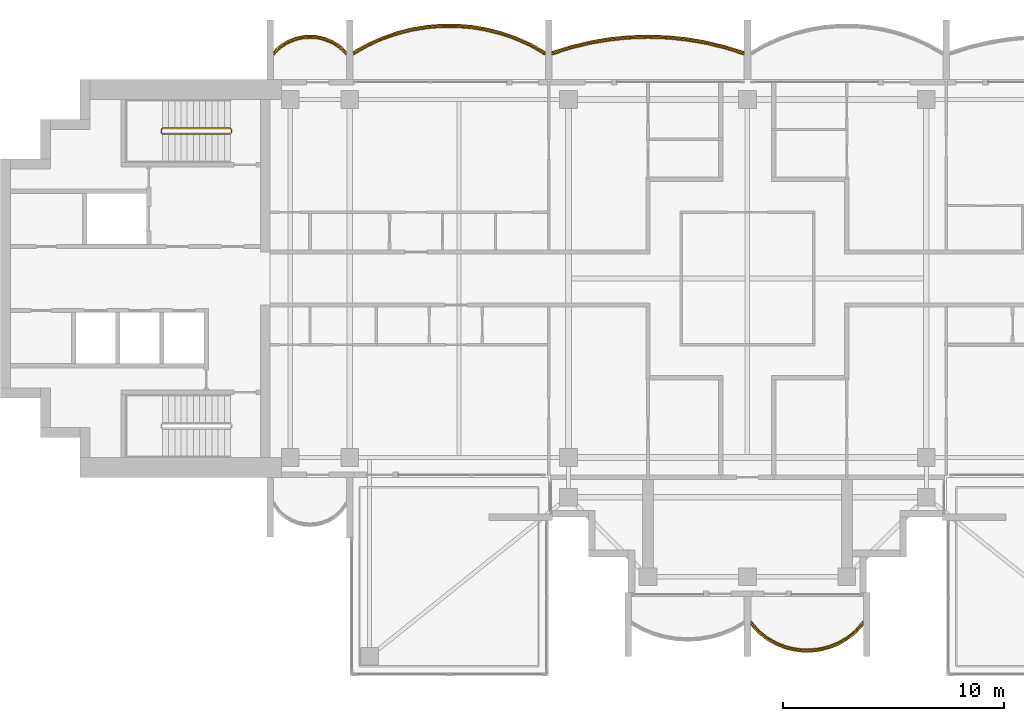
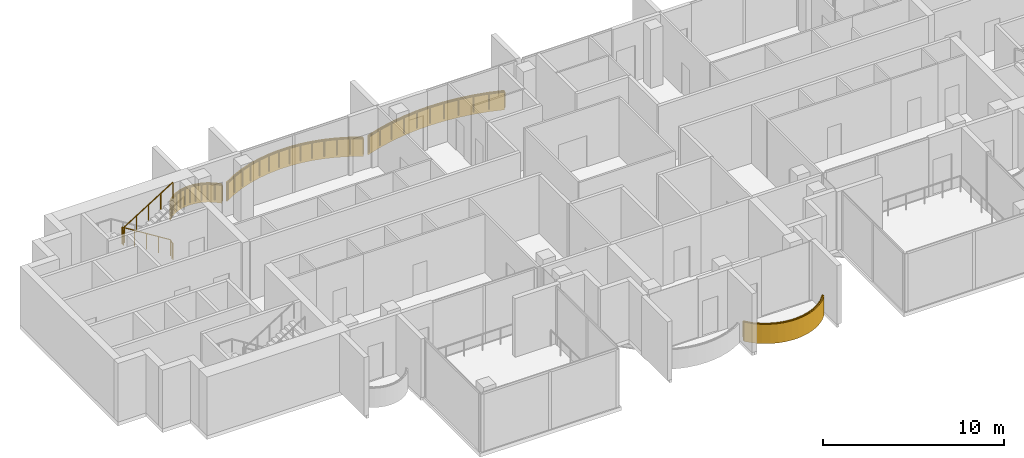
# One storey, part 14 of 16: 5 railings, 4 coverings.
"""IFC4 building model written with IfcOpenShell, lengths in metres."""

from ifc_helpers import new_model, si_unit, direction, frame, origin, origin_2d, place, context, subcontext, project, spatial, polyline, rectangle, outline, extrude, material, layer, layer_set, type_object, element, save


model = new_model("IFC4")

# Units and contexts
model_context = context("Model", 3, precision=1e-05, world=origin(), true_north=direction((0.0, 1.0)))
body_context = subcontext(model_context, "Body", "Model", "MODEL_VIEW")
ifc_project = project(units=[si_unit("LENGTHUNIT", "METRE"), si_unit("AREAUNIT", "SQUARE_METRE"), si_unit("VOLUMEUNIT", "CUBIC_METRE"), si_unit("PLANEANGLEUNIT", "RADIAN"), si_unit("MASSUNIT", "GRAM", prefix="KILO")], contexts=[model_context])

# Site, building, storey
site_placement = place(None, origin())
site = spatial("IfcSite", under=ifc_project, at=site_placement, CompositionType="ELEMENT")
building_placement = place(site_placement, origin())
building = spatial("IfcBuilding", under=site, at=building_placement, Name="Perihelion Cross Residences", CompositionType="ELEMENT")
storey_placement = place(building_placement, frame((0.0, 0.0, 294.60009765625)))
storey = spatial("IfcBuildingStorey", under=building, at=storey_placement, Name="L75", CompositionType="ELEMENT", Elevation=294.60009765625)

# Coverings
ifc_material_1 = material(Name="Bronze anodised aluminium", Category="aluminium")
ifc_layer = layer(ifc_material_1, 0.070068359375)
ifc_layer_set = layer_set([ifc_layer], Name="Balcony fascia 1300")
covering_type = type_object("IfcCoveringType", Name="Balcony fascia 1300", PredefinedType="CLADDING", material=ifc_layer_set)
covering_1_placement = place(storey_placement, frame((0.0, 0.0, -0.2001953125)))
element("IfcCovering", 1, at=covering_1_placement, inside=storey, type_object=covering_type, Name="Fascia BF1 L75 north side east bay 2", PredefinedType="CLADDING", context=body_context, shape_type="SweptSolid", body=[
    extrude(outline(polyline([(-1.001220703125, 10.542724609375), (-1.8759765625, 10.753662109375), (-2.750732421875, 10.90234375), (-3.625244140625, 10.99072265625), (-4.5, 11.02001953125), (-5.374755859375, 10.99072265625), (-6.249267578125, 10.90234375), (-7.1240234375, 10.753662109375), (-7.998779296875, 10.542724609375), (-8.85009765625, 10.2734375), (-8.85009765625, 10.199951171875), (-7.97998046875, 10.47509765625), (-7.110107421875, 10.68505859375), (-6.239990234375, 10.8330078125), (-5.3701171875, 10.9208984375), (-4.5, 10.949951171875), (-3.6298828125, 10.9208984375), (-2.760009765625, 10.8330078125), (-1.889892578125, 10.68505859375), (-1.02001953125, 10.47509765625), (-0.14990234375, 10.199951171875), (-0.14990234375, 10.2734375), (-1.001220703125, 10.542724609375)])), origin(), (0.0, 0.0, 1.0), 1.300048828125),
])
covering_2_placement = place(storey_placement, frame((0.0, 0.0, -0.2001953125)))
element("IfcCovering", 2, at=covering_2_placement, inside=storey, type_object=covering_type, Name="Fascia BF1 L75 west side north bay 1", PredefinedType="CLADDING", context=body_context, shape_type="SweptSolid", body=[
    extrude(outline(polyline([(-9.787841796875, 10.63916015625), (-10.462646484375, 10.941650390625), (-11.1376953125, 11.175048828125), (-11.8125, 11.345947265625), (-12.487548828125, 11.457763671875), (-13.16259765625, 11.51318359375), (-13.83740234375, 11.51318359375), (-14.512451171875, 11.457763671875), (-15.1875, 11.345947265625), (-15.8623046875, 11.175048828125), (-16.537353515625, 10.941650390625), (-17.212158203125, 10.63916015625), (-17.85009765625, 10.2802734375), (-17.85009765625, 10.199951171875), (-17.1806640625, 10.57666015625), (-16.511474609375, 10.87646484375), (-15.84228515625, 11.108154296875), (-15.173095703125, 11.27734375), (-14.50390625, 11.38818359375), (-13.834716796875, 11.443115234375), (-13.165283203125, 11.443115234375), (-12.49609375, 11.38818359375), (-11.826904296875, 11.27734375), (-11.15771484375, 11.108154296875), (-10.488525390625, 10.87646484375), (-9.8193359375, 10.57666015625), (-9.14990234375, 10.199951171875), (-9.14990234375, 10.2802734375), (-9.787841796875, 10.63916015625)])), origin(), (0.0, 0.0, 1.0), 1.300048828125),
])
covering_3_placement = place(storey_placement, frame((0.0, 0.0, -0.2001953125)))
element("IfcCovering", 3, at=covering_3_placement, inside=storey, type_object=covering_type, Name="Fascia BF1 L75 west side north bay 2", PredefinedType="CLADDING", context=body_context, shape_type="SweptSolid", body=[
    extrude(outline(polyline([(-18.4375, 10.56298828125), (-18.778076171875, 10.77587890625), (-19.11865234375, 10.914794921875), (-19.45947265625, 10.994140625), (-19.800048828125, 11.02001953125), (-20.140625, 10.994140625), (-20.481201171875, 10.914794921875), (-20.82177734375, 10.77587890625), (-21.16259765625, 10.56298828125), (-21.449951171875, 10.295654296875), (-21.449951171875, 10.199951171875), (-21.1201171875, 10.507568359375), (-20.7900390625, 10.71337890625), (-20.4599609375, 10.84814453125), (-20.1298828125, 10.925048828125), (-19.800048828125, 10.949951171875), (-19.469970703125, 10.925048828125), (-19.139892578125, 10.84814453125), (-18.81005859375, 10.71337890625), (-18.47998046875, 10.507568359375), (-18.14990234375, 10.199951171875), (-18.14990234375, 10.295654296875), (-18.4375, 10.56298828125)])), origin(), (0.0, 0.0, 1.0), 1.300048828125),
])
covering_4_placement = place(storey_placement, frame((0.0, 0.0, -0.2001953125)))
element("IfcCovering", 4, at=covering_4_placement, inside=storey, type_object=covering_type, Name="Fascia BF1 L75 south tip south bay 2", PredefinedType="CLADDING", context=body_context, shape_type="SweptSolid", body=[
    extrude(outline(polyline([(0.4951171875, -16.073974609375), (0.89599609375, -16.382568359375), (1.296875, -16.6064453125), (1.69775390625, -16.763916015625), (2.0986328125, -16.86474609375), (2.49951171875, -16.913818359375), (2.900390625, -16.913818359375), (3.30126953125, -16.86474609375), (3.7021484375, -16.763916015625), (4.10302734375, -16.6064453125), (4.50390625, -16.382568359375), (4.90478515625, -16.073974609375), (5.25, -15.702880859375), (5.25, -15.60009765625), (4.857666015625, -16.022216796875), (4.46533203125, -16.323974609375), (4.072998046875, -16.543212890625), (3.6806640625, -16.697265625), (3.28857421875, -16.7958984375), (2.896240234375, -16.843994140625), (2.50390625, -16.843994140625), (2.111572265625, -16.7958984375), (1.71923828125, -16.697265625), (1.326904296875, -16.543212890625), (0.9345703125, -16.323974609375), (0.542236328125, -16.022216796875), (0.14990234375, -15.60009765625), (0.14990234375, -15.702880859375), (0.4951171875, -16.073974609375)])), origin(), (0.0, 0.0, 1.0), 1.300048828125),
])

# Railings
ifc_material_2 = material(Name="Bronze anodised aluminium", Category="aluminium")
railing_type_1 = type_object("IfcRailingType", Name="Balcony guard 1100", PredefinedType="GUARDRAIL", material=ifc_material_2)
railing_1_placement = place(storey_placement, frame((-0.175048828125, 10.139892578125, 0.0)))
element("IfcRailing", 5, at=railing_1_placement, inside=storey, type_object=railing_type_1, Name="Guard GU1 L75 north side east bay 2 balcony", PredefinedType="GUARDRAIL", context=body_context, shape_type="SweptSolid", body=[
    extrude(rectangle(XDim=0.048095703125, YDim=0.048095703125, at=origin_2d()), frame((0.0, 0.0, 1.076171875), z_axis=(-0.950777354264, 0.30987484993, 0.0), x_axis=(-0.30987484993, -0.950777354264, 0.0)), (0.0, 0.0, 1.0), 0.888671875),
    extrude(rectangle(XDim=0.048095703125, YDim=0.048095703125, at=origin_2d()), frame((-0.844970703125, 0.275390625, 1.076171875), z_axis=(-0.972146551129, 0.234373810671, 0.0), x_axis=(-0.234373810671, -0.972146551129, 0.0)), (0.0, 0.0, 1.0), 0.894775390625),
    extrude(rectangle(XDim=0.048095703125, YDim=0.048095703125, at=origin_2d()), frame((-1.71484375, 0.485107421875, 1.076171875), z_axis=(-0.985850361727, 0.167627755108, 0.0), x_axis=(-0.167627755108, -0.985850361727, 0.0)), (0.0, 0.0, 1.0), 0.882568359375),
    extrude(rectangle(XDim=0.048095703125, YDim=0.048095703125, at=origin_2d()), frame((-2.5849609375, 0.633056640625, 1.076171875), z_axis=(-0.994934368303, 0.100526627165, 0.0), x_axis=(-0.100526627165, -0.994934368303, 0.0)), (0.0, 0.0, 1.0), 0.874267578125),
    extrude(rectangle(XDim=0.048095703125, YDim=0.048095703125, at=origin_2d()), frame((-3.454833984375, 0.720947265625, 1.076171875), z_axis=(-0.999443037968, 0.0333708534, 0.0), x_axis=(-0.0333708534, -0.999443037968, 0.0)), (0.0, 0.0, 1.0), 0.87060546875),
    extrude(rectangle(XDim=0.048095703125, YDim=0.048095703125, at=origin_2d()), frame((-4.324951171875, 0.75, 1.076171875), z_axis=(-0.999443037968, -0.0333708534, 0.0), x_axis=(0.0333708534, -0.999443037968, 0.0)), (0.0, 0.0, 1.0), 0.87060546875),
    extrude(rectangle(XDim=0.048095703125, YDim=0.048095703125, at=origin_2d()), frame((-5.195068359375, 0.720947265625, 1.076171875), z_axis=(-0.994934368303, -0.100526627165, 0.0), x_axis=(0.100526627165, -0.994934368303, 0.0)), (0.0, 0.0, 1.0), 0.874267578125),
    extrude(rectangle(XDim=0.048095703125, YDim=0.048095703125, at=origin_2d()), frame((-6.06494140625, 0.633056640625, 1.076171875), z_axis=(-0.985850361727, -0.167627755108, 0.0), x_axis=(0.167627755108, -0.985850361727, 0.0)), (0.0, 0.0, 1.0), 0.882568359375),
    extrude(rectangle(XDim=0.048095703125, YDim=0.048095703125, at=origin_2d()), frame((-6.93505859375, 0.485107421875, 1.076171875), z_axis=(-0.972146551129, -0.234373810671, 0.0), x_axis=(0.234373810671, -0.972146551129, 0.0)), (0.0, 0.0, 1.0), 0.894775390625),
    extrude(rectangle(XDim=0.048095703125, YDim=0.048095703125, at=origin_2d()), frame((-7.804931640625, 0.275390625, 1.076171875), z_axis=(-0.950777354264, -0.30987484993, 0.0), x_axis=(0.30987484993, -0.950777354264, 0.0)), (0.0, 0.0, 1.0), 0.888671875),
    extrude(rectangle(XDim=0.0419921875, YDim=0.0419921875, at=origin_2d()), origin(), (0.0, 0.0, 1.0), 1.052001953125),
    extrude(rectangle(XDim=0.0419921875, YDim=0.0419921875, at=origin_2d()), frame((-0.844970703125, 0.275390625, 0.0)), (0.0, 0.0, 1.0), 1.052001953125),
    extrude(rectangle(XDim=0.0419921875, YDim=0.0419921875, at=origin_2d()), frame((-1.71484375, 0.485107421875, 0.0)), (0.0, 0.0, 1.0), 1.052001953125),
    extrude(rectangle(XDim=0.0419921875, YDim=0.0419921875, at=origin_2d()), frame((-2.5849609375, 0.633056640625, 0.0)), (0.0, 0.0, 1.0), 1.052001953125),
    extrude(rectangle(XDim=0.0419921875, YDim=0.0419921875, at=origin_2d()), frame((-3.454833984375, 0.720947265625, 0.0)), (0.0, 0.0, 1.0), 1.052001953125),
    extrude(rectangle(XDim=0.0419921875, YDim=0.0419921875, at=origin_2d()), frame((-4.324951171875, 0.75, 0.0)), (0.0, 0.0, 1.0), 1.052001953125),
    extrude(rectangle(XDim=0.0419921875, YDim=0.0419921875, at=origin_2d()), frame((-5.195068359375, 0.720947265625, 0.0)), (0.0, 0.0, 1.0), 1.052001953125),
    extrude(rectangle(XDim=0.0419921875, YDim=0.0419921875, at=origin_2d()), frame((-6.06494140625, 0.633056640625, 0.0)), (0.0, 0.0, 1.0), 1.052001953125),
    extrude(rectangle(XDim=0.0419921875, YDim=0.0419921875, at=origin_2d()), frame((-6.93505859375, 0.485107421875, 0.0)), (0.0, 0.0, 1.0), 1.052001953125),
    extrude(rectangle(XDim=0.0419921875, YDim=0.0419921875, at=origin_2d()), frame((-7.804931640625, 0.275390625, 0.0)), (0.0, 0.0, 1.0), 1.052001953125),
    extrude(rectangle(XDim=0.0419921875, YDim=0.0419921875, at=origin_2d()), frame((-8.64990234375, 0.0, 0.0)), (0.0, 0.0, 1.0), 1.052001953125),
])
railing_2_placement = place(storey_placement, frame((-9.175048828125, 10.139892578125, 0.0)))
element("IfcRailing", 6, at=railing_2_placement, inside=storey, type_object=railing_type_1, Name="Guard GU1 L75 west side north bay 1 balcony", PredefinedType="GUARDRAIL", context=body_context, shape_type="SweptSolid", body=[
    extrude(rectangle(XDim=0.048095703125, YDim=0.048095703125, at=origin_2d()), frame((0.0, 0.0, 1.076171875), z_axis=(-0.863125740505, 0.504989065305, 0.0), x_axis=(-0.504989065305, -0.863125740505, 0.0)), (0.0, 0.0, 1.0), 0.746337890625),
    extrude(rectangle(XDim=0.048095703125, YDim=0.048095703125, at=origin_2d()), frame((-0.644287109375, 0.376953125, 1.076171875), z_axis=(-0.912723499295, 0.408577794103, 0.0), x_axis=(-0.408577794103, -0.912723499295, 0.0)), (0.0, 0.0, 1.0), 0.733154296875),
    extrude(rectangle(XDim=0.048095703125, YDim=0.048095703125, at=origin_2d()), frame((-1.3134765625, 0.676513671875, 1.076171875), z_axis=(-0.944965577734, 0.327169767701, 0.0), x_axis=(-0.327169767701, -0.944965577734, 0.0)), (0.0, 0.0, 1.0), 0.708251953125),
    extrude(rectangle(XDim=0.048095703125, YDim=0.048095703125, at=origin_2d()), frame((-1.982666015625, 0.908203125, 1.076171875), z_axis=(-0.96949408574, 0.245114703181, 0.0), x_axis=(-0.245114703181, -0.96949408574, 0.0)), (0.0, 0.0, 1.0), 0.690185546875),
    extrude(rectangle(XDim=0.048095703125, YDim=0.048095703125, at=origin_2d()), frame((-2.65185546875, 1.077392578125, 1.076171875), z_axis=(-0.986500713816, 0.163756959061, 0.0), x_axis=(-0.163756959061, -0.986500713816, 0.0)), (0.0, 0.0, 1.0), 0.678466796875),
    extrude(rectangle(XDim=0.048095703125, YDim=0.048095703125, at=origin_2d()), frame((-3.321044921875, 1.1884765625, 1.076171875), z_axis=(-0.996677390684, 0.081450468994, 0.0), x_axis=(-0.081450468994, -0.996677390684, 0.0)), (0.0, 0.0, 1.0), 0.67138671875),
    extrude(rectangle(XDim=0.048095703125, YDim=0.048095703125, at=origin_2d()), frame((-3.990234375, 1.2431640625, 1.076171875), z_axis=(-1.0, 0.0, 0.0), x_axis=(0.0, -1.0, 0.0)), (0.0, 0.0, 1.0), 0.66943359375),
    extrude(rectangle(XDim=0.048095703125, YDim=0.048095703125, at=origin_2d()), frame((-4.65966796875, 1.2431640625, 1.076171875), z_axis=(-0.996677390684, -0.081450468994, 0.0), x_axis=(0.081450468994, -0.996677390684, 0.0)), (0.0, 0.0, 1.0), 0.67138671875),
    extrude(rectangle(XDim=0.048095703125, YDim=0.048095703125, at=origin_2d()), frame((-5.328857421875, 1.1884765625, 1.076171875), z_axis=(-0.986500713816, -0.163756959061, 0.0), x_axis=(0.163756959061, -0.986500713816, 0.0)), (0.0, 0.0, 1.0), 0.678466796875),
    extrude(rectangle(XDim=0.048095703125, YDim=0.048095703125, at=origin_2d()), frame((-5.998046875, 1.077392578125, 1.076171875), z_axis=(-0.96949408574, -0.245114703181, 0.0), x_axis=(0.245114703181, -0.96949408574, 0.0)), (0.0, 0.0, 1.0), 0.690185546875),
    extrude(rectangle(XDim=0.048095703125, YDim=0.048095703125, at=origin_2d()), frame((-6.667236328125, 0.908203125, 1.076171875), z_axis=(-0.944965577734, -0.327169767701, 0.0), x_axis=(0.327169767701, -0.944965577734, 0.0)), (0.0, 0.0, 1.0), 0.708251953125),
    extrude(rectangle(XDim=0.048095703125, YDim=0.048095703125, at=origin_2d()), frame((-7.33642578125, 0.676513671875, 1.076171875), z_axis=(-0.912723499295, -0.408577794103, 0.0), x_axis=(0.408577794103, -0.912723499295, 0.0)), (0.0, 0.0, 1.0), 0.733154296875),
    extrude(rectangle(XDim=0.048095703125, YDim=0.048095703125, at=origin_2d()), frame((-8.005615234375, 0.376953125, 1.076171875), z_axis=(-0.863125740505, -0.504989065305, 0.0), x_axis=(0.504989065305, -0.863125740505, 0.0)), (0.0, 0.0, 1.0), 0.746337890625),
    extrude(rectangle(XDim=0.0419921875, YDim=0.0419921875, at=origin_2d()), origin(), (0.0, 0.0, 1.0), 1.052001953125),
    extrude(rectangle(XDim=0.0419921875, YDim=0.0419921875, at=origin_2d()), frame((-0.644287109375, 0.376953125, 0.0)), (0.0, 0.0, 1.0), 1.052001953125),
    extrude(rectangle(XDim=0.0419921875, YDim=0.0419921875, at=origin_2d()), frame((-1.3134765625, 0.676513671875, 0.0)), (0.0, 0.0, 1.0), 1.052001953125),
    extrude(rectangle(XDim=0.0419921875, YDim=0.0419921875, at=origin_2d()), frame((-1.982666015625, 0.908203125, 0.0)), (0.0, 0.0, 1.0), 1.052001953125),
    extrude(rectangle(XDim=0.0419921875, YDim=0.0419921875, at=origin_2d()), frame((-2.65185546875, 1.077392578125, 0.0)), (0.0, 0.0, 1.0), 1.052001953125),
    extrude(rectangle(XDim=0.0419921875, YDim=0.0419921875, at=origin_2d()), frame((-3.321044921875, 1.1884765625, 0.0)), (0.0, 0.0, 1.0), 1.052001953125),
    extrude(rectangle(XDim=0.0419921875, YDim=0.0419921875, at=origin_2d()), frame((-3.990234375, 1.2431640625, 0.0)), (0.0, 0.0, 1.0), 1.052001953125),
    extrude(rectangle(XDim=0.0419921875, YDim=0.0419921875, at=origin_2d()), frame((-4.65966796875, 1.2431640625, 0.0)), (0.0, 0.0, 1.0), 1.052001953125),
    extrude(rectangle(XDim=0.0419921875, YDim=0.0419921875, at=origin_2d()), frame((-5.328857421875, 1.1884765625, 0.0)), (0.0, 0.0, 1.0), 1.052001953125),
    extrude(rectangle(XDim=0.0419921875, YDim=0.0419921875, at=origin_2d()), frame((-5.998046875, 1.077392578125, 0.0)), (0.0, 0.0, 1.0), 1.052001953125),
    extrude(rectangle(XDim=0.0419921875, YDim=0.0419921875, at=origin_2d()), frame((-6.667236328125, 0.908203125, 0.0)), (0.0, 0.0, 1.0), 1.052001953125),
    extrude(rectangle(XDim=0.0419921875, YDim=0.0419921875, at=origin_2d()), frame((-7.33642578125, 0.676513671875, 0.0)), (0.0, 0.0, 1.0), 1.052001953125),
    extrude(rectangle(XDim=0.0419921875, YDim=0.0419921875, at=origin_2d()), frame((-8.005615234375, 0.376953125, 0.0)), (0.0, 0.0, 1.0), 1.052001953125),
    extrude(rectangle(XDim=0.0419921875, YDim=0.0419921875, at=origin_2d()), frame((-8.64990234375, 0.0, 0.0)), (0.0, 0.0, 1.0), 1.052001953125),
])
railing_3_placement = place(storey_placement, frame((-18.175048828125, 10.139892578125, 0.0)))
element("IfcRailing", 7, at=railing_3_placement, inside=storey, type_object=railing_type_1, Name="Guard GU1 L75 west side north bay 2 balcony", PredefinedType="GUARDRAIL", context=body_context, shape_type="SweptSolid", body=[
    extrude(rectangle(XDim=0.048095703125, YDim=0.048095703125, at=origin_2d()), frame((0.0, 0.0, 1.076171875), z_axis=(-0.703999905859, 0.710200065158, 0.0), x_axis=(-0.710200065158, -0.703999905859, 0.0)), (0.0, 0.0, 1.0), 0.43310546875),
    extrude(rectangle(XDim=0.048095703125, YDim=0.048095703125, at=origin_2d()), frame((-0.304931640625, 0.3076171875, 1.076171875), z_axis=(-0.848280173265, 0.529547682127, 0.0), x_axis=(-0.529547682127, -0.848280173265, 0.0)), (0.0, 0.0, 1.0), 0.38916015625),
    extrude(rectangle(XDim=0.048095703125, YDim=0.048095703125, at=origin_2d()), frame((-0.635009765625, 0.513671875, 1.076171875), z_axis=(-0.925950379976, 0.377645195682, 0.0), x_axis=(-0.377645195682, -0.925950379976, 0.0)), (0.0, 0.0, 1.0), 0.356201171875),
    extrude(rectangle(XDim=0.048095703125, YDim=0.048095703125, at=origin_2d()), frame((-0.96484375, 0.648193359375, 1.076171875), z_axis=(-0.97391554583, 0.226910796551, 0.0), x_axis=(-0.226910796551, -0.97391554583, 0.0)), (0.0, 0.0, 1.0), 0.3388671875),
    extrude(rectangle(XDim=0.048095703125, YDim=0.048095703125, at=origin_2d()), frame((-1.294921875, 0.72509765625, 1.076171875), z_axis=(-0.997166208737, 0.075229995038, 0.0), x_axis=(-0.075229995038, -0.997166208737, 0.0)), (0.0, 0.0, 1.0), 0.3310546875),
    extrude(rectangle(XDim=0.048095703125, YDim=0.048095703125, at=origin_2d()), frame((-1.625, 0.75, 1.076171875), z_axis=(-0.997162029931, -0.075285364214, 0.0), x_axis=(0.075285364214, -0.997162029931, 0.0)), (0.0, 0.0, 1.0), 0.330810546875),
    extrude(rectangle(XDim=0.048095703125, YDim=0.048095703125, at=origin_2d()), frame((-1.954833984375, 0.72509765625, 1.076171875), z_axis=(-0.97391554583, -0.226910796551, 0.0), x_axis=(0.226910796551, -0.97391554583, 0.0)), (0.0, 0.0, 1.0), 0.3388671875),
    extrude(rectangle(XDim=0.048095703125, YDim=0.048095703125, at=origin_2d()), frame((-2.284912109375, 0.648193359375, 1.076171875), z_axis=(-0.926048033295, -0.377405670374, 0.0), x_axis=(0.377405670374, -0.926048033295, 0.0)), (0.0, 0.0, 1.0), 0.3564453125),
    extrude(rectangle(XDim=0.048095703125, YDim=0.048095703125, at=origin_2d()), frame((-2.614990234375, 0.513671875, 1.076171875), z_axis=(-0.848280173265, -0.529547682127, 0.0), x_axis=(0.529547682127, -0.848280173265, 0.0)), (0.0, 0.0, 1.0), 0.38916015625),
    extrude(rectangle(XDim=0.048095703125, YDim=0.048095703125, at=origin_2d()), frame((-2.945068359375, 0.3076171875, 1.076171875), z_axis=(-0.703999905859, -0.710200065158, 0.0), x_axis=(0.710200065158, -0.703999905859, 0.0)), (0.0, 0.0, 1.0), 0.43310546875),
    extrude(rectangle(XDim=0.0419921875, YDim=0.0419921875, at=origin_2d()), origin(), (0.0, 0.0, 1.0), 1.052001953125),
    extrude(rectangle(XDim=0.0419921875, YDim=0.0419921875, at=origin_2d()), frame((-0.304931640625, 0.3076171875, 0.0)), (0.0, 0.0, 1.0), 1.052001953125),
    extrude(rectangle(XDim=0.0419921875, YDim=0.0419921875, at=origin_2d()), frame((-0.635009765625, 0.513671875, 0.0)), (0.0, 0.0, 1.0), 1.052001953125),
    extrude(rectangle(XDim=0.0419921875, YDim=0.0419921875, at=origin_2d()), frame((-0.96484375, 0.648193359375, 0.0)), (0.0, 0.0, 1.0), 1.052001953125),
    extrude(rectangle(XDim=0.0419921875, YDim=0.0419921875, at=origin_2d()), frame((-1.294921875, 0.72509765625, 0.0)), (0.0, 0.0, 1.0), 1.052001953125),
    extrude(rectangle(XDim=0.0419921875, YDim=0.0419921875, at=origin_2d()), frame((-1.625, 0.75, 0.0)), (0.0, 0.0, 1.0), 1.052001953125),
    extrude(rectangle(XDim=0.0419921875, YDim=0.0419921875, at=origin_2d()), frame((-1.954833984375, 0.72509765625, 0.0)), (0.0, 0.0, 1.0), 1.052001953125),
    extrude(rectangle(XDim=0.0419921875, YDim=0.0419921875, at=origin_2d()), frame((-2.284912109375, 0.648193359375, 0.0)), (0.0, 0.0, 1.0), 1.052001953125),
    extrude(rectangle(XDim=0.0419921875, YDim=0.0419921875, at=origin_2d()), frame((-2.614990234375, 0.513671875, 0.0)), (0.0, 0.0, 1.0), 1.052001953125),
    extrude(rectangle(XDim=0.0419921875, YDim=0.0419921875, at=origin_2d()), frame((-2.945068359375, 0.3076171875, 0.0)), (0.0, 0.0, 1.0), 1.052001953125),
    extrude(rectangle(XDim=0.0419921875, YDim=0.0419921875, at=origin_2d()), frame((-3.25, 0.0, 0.0)), (0.0, 0.0, 1.0), 1.052001953125),
])
railing_4_placement = place(storey_placement, frame((0.175048828125, -15.5400390625, 0.0)))
element("IfcRailing", 8, at=railing_4_placement, inside=storey, type_object=railing_type_1, Name="Guard GU1 L75 south tip south bay 2 balcony", PredefinedType="GUARDRAIL", context=body_context, shape_type="SweptSolid", body=[
    extrude(rectangle(XDim=0.048095703125, YDim=0.048095703125, at=origin_2d()), frame((0.0, 0.0, 1.076171875), z_axis=(0.656308349551, -0.754492776844, 0.0), x_axis=(0.754492776844, 0.656308349551, 0.0)), (0.0, 0.0, 1.0), 0.5595703125),
    extrude(rectangle(XDim=0.048095703125, YDim=0.048095703125, at=origin_2d()), frame((0.3671875, -0.422119140625, 1.076171875), z_axis=(0.792422303655, -0.609972862241, 0.0), x_axis=(0.609972862241, 0.792422303655, 0.0)), (0.0, 0.0, 1.0), 0.4951171875),
    extrude(rectangle(XDim=0.048095703125, YDim=0.048095703125, at=origin_2d()), frame((0.759521484375, -0.72412109375, 1.076171875), z_axis=(0.873181568748, -0.487395063576, 0.0), x_axis=(0.487395063576, 0.873181568748, 0.0)), (0.0, 0.0, 1.0), 0.44921875),
    extrude(rectangle(XDim=0.048095703125, YDim=0.048095703125, at=origin_2d()), frame((1.15185546875, -0.943115234375, 1.076171875), z_axis=(0.930814842219, -0.365491079925, 0.0), x_axis=(0.365491079925, 0.930814842219, 0.0)), (0.0, 0.0, 1.0), 0.42138671875),
    extrude(rectangle(XDim=0.048095703125, YDim=0.048095703125, at=origin_2d()), frame((1.544189453125, -1.09716796875, 1.076171875), z_axis=(0.969822159145, -0.243813411509, 0.0), x_axis=(0.243813411509, 0.969822159145, 0.0)), (0.0, 0.0, 1.0), 0.404541015625),
    extrude(rectangle(XDim=0.048095703125, YDim=0.048095703125, at=origin_2d()), frame((1.9365234375, -1.19580078125, 1.076171875), z_axis=(0.992569651699, -0.121677797999, 0.0), x_axis=(0.121677797999, 0.992569651699, 0.0)), (0.0, 0.0, 1.0), 0.395263671875),
    extrude(rectangle(XDim=0.048095703125, YDim=0.048095703125, at=origin_2d()), frame((2.328857421875, -1.243896484375, 1.076171875), z_axis=(1.0, 0.0, 0.0), x_axis=(0.0, 1.0, 0.0)), (0.0, 0.0, 1.0), 0.392333984375),
    extrude(rectangle(XDim=0.048095703125, YDim=0.048095703125, at=origin_2d()), frame((2.72119140625, -1.243896484375, 1.076171875), z_axis=(0.992569651699, 0.121677797999, 0.0), x_axis=(-0.121677797999, 0.992569651699, 0.0)), (0.0, 0.0, 1.0), 0.395263671875),
    extrude(rectangle(XDim=0.048095703125, YDim=0.048095703125, at=origin_2d()), frame((3.113525390625, -1.19580078125, 1.076171875), z_axis=(0.969786252666, 0.243956193074, 0.0), x_axis=(-0.243956193074, 0.969786252666, 0.0)), (0.0, 0.0, 1.0), 0.404296875),
    extrude(rectangle(XDim=0.048095703125, YDim=0.048095703125, at=origin_2d()), frame((3.505615234375, -1.09716796875, 1.076171875), z_axis=(0.930814842219, 0.365491079925, 0.0), x_axis=(-0.365491079925, 0.930814842219, 0.0)), (0.0, 0.0, 1.0), 0.42138671875),
    extrude(rectangle(XDim=0.048095703125, YDim=0.048095703125, at=origin_2d()), frame((3.89794921875, -0.943115234375, 1.076171875), z_axis=(0.873181568748, 0.487395063576, 0.0), x_axis=(-0.487395063576, 0.873181568748, 0.0)), (0.0, 0.0, 1.0), 0.44921875),
    extrude(rectangle(XDim=0.048095703125, YDim=0.048095703125, at=origin_2d()), frame((4.290283203125, -0.72412109375, 1.076171875), z_axis=(0.792422303655, 0.609972862241, 0.0), x_axis=(-0.609972862241, 0.792422303655, 0.0)), (0.0, 0.0, 1.0), 0.4951171875),
    extrude(rectangle(XDim=0.048095703125, YDim=0.048095703125, at=origin_2d()), frame((4.6826171875, -0.422119140625, 1.076171875), z_axis=(0.656556653543, 0.754276713606, 0.0), x_axis=(-0.754276713606, 0.656556653543, 0.0)), (0.0, 0.0, 1.0), 0.5595703125),
    extrude(rectangle(XDim=0.0419921875, YDim=0.0419921875, at=origin_2d()), origin(), (0.0, 0.0, 1.0), 1.052001953125),
    extrude(rectangle(XDim=0.0419921875, YDim=0.0419921875, at=origin_2d()), frame((0.3671875, -0.422119140625, 0.0)), (0.0, 0.0, 1.0), 1.052001953125),
    extrude(rectangle(XDim=0.0419921875, YDim=0.0419921875, at=origin_2d()), frame((0.759521484375, -0.72412109375, 0.0)), (0.0, 0.0, 1.0), 1.052001953125),
    extrude(rectangle(XDim=0.0419921875, YDim=0.0419921875, at=origin_2d()), frame((1.15185546875, -0.943115234375, 0.0)), (0.0, 0.0, 1.0), 1.052001953125),
    extrude(rectangle(XDim=0.0419921875, YDim=0.0419921875, at=origin_2d()), frame((1.544189453125, -1.09716796875, 0.0)), (0.0, 0.0, 1.0), 1.052001953125),
    extrude(rectangle(XDim=0.0419921875, YDim=0.0419921875, at=origin_2d()), frame((1.9365234375, -1.19580078125, 0.0)), (0.0, 0.0, 1.0), 1.052001953125),
    extrude(rectangle(XDim=0.0419921875, YDim=0.0419921875, at=origin_2d()), frame((2.328857421875, -1.243896484375, 0.0)), (0.0, 0.0, 1.0), 1.052001953125),
    extrude(rectangle(XDim=0.0419921875, YDim=0.0419921875, at=origin_2d()), frame((2.72119140625, -1.243896484375, 0.0)), (0.0, 0.0, 1.0), 1.052001953125),
    extrude(rectangle(XDim=0.0419921875, YDim=0.0419921875, at=origin_2d()), frame((3.113525390625, -1.19580078125, 0.0)), (0.0, 0.0, 1.0), 1.052001953125),
    extrude(rectangle(XDim=0.0419921875, YDim=0.0419921875, at=origin_2d()), frame((3.505615234375, -1.09716796875, 0.0)), (0.0, 0.0, 1.0), 1.052001953125),
    extrude(rectangle(XDim=0.0419921875, YDim=0.0419921875, at=origin_2d()), frame((3.89794921875, -0.943115234375, 0.0)), (0.0, 0.0, 1.0), 1.052001953125),
    extrude(rectangle(XDim=0.0419921875, YDim=0.0419921875, at=origin_2d()), frame((4.290283203125, -0.72412109375, 0.0)), (0.0, 0.0, 1.0), 1.052001953125),
    extrude(rectangle(XDim=0.0419921875, YDim=0.0419921875, at=origin_2d()), frame((4.6826171875, -0.422119140625, 0.0)), (0.0, 0.0, 1.0), 1.052001953125),
    extrude(rectangle(XDim=0.0419921875, YDim=0.0419921875, at=origin_2d()), frame((5.050048828125, 0.0, 0.0)), (0.0, 0.0, 1.0), 1.052001953125),
])
ifc_material_3 = material(Name="Stainless steel", Category="steel")
railing_type_2 = type_object("IfcRailingType", Name="Stair guard 1100", PredefinedType="GUARDRAIL", material=ifc_material_3)
railing_5_placement = place(storey_placement, frame((-23.35009765625, 6.60009765625, 0.0)))
element("IfcRailing", 9, at=railing_5_placement, inside=storey, type_object=railing_type_2, Name="L75 ST-W1 stair guard 1", PredefinedType="GUARDRAIL", context=body_context, shape_type="SweptSolid", body=[
    extrude(rectangle(XDim=0.048095703125, YDim=0.048095703125, at=origin_2d()), frame((0.0, 0.0, 1.076171875), z_axis=(0.0, 1.0, 0.0), x_axis=(-1.0, 0.0, 0.0)), (0.0, 0.0, 1.0), 0.14990234375),
    extrude(rectangle(XDim=0.048095703125, YDim=0.048095703125, at=origin_2d()), frame((0.0, 0.14990234375, 1.076171875), z_axis=(-0.264179342666, 0.265474339444, 0.927217692888), x_axis=(-0.708833529934, -0.705375805398, 0.0)), (0.0, 0.0, 1.0), 0.1884765625),
    extrude(rectangle(XDim=0.048095703125, YDim=0.048095703125, at=origin_2d()), frame((-0.0498046875, 0.199951171875, 1.2509765625), z_axis=(-0.847998304005, 0.0, 0.529998940003), x_axis=(0.0, -1.0, 0.0)), (0.0, 0.0, 1.0), 3.632080078125),
    extrude(rectangle(XDim=0.048095703125, YDim=0.048095703125, at=origin_2d()), frame((-3.1298828125, 0.199951171875, 3.17578125), z_axis=(-0.707106781187, -0.707106781187, 0.0), x_axis=(0.707106781187, -0.707106781187, 0.0)), (0.0, 0.0, 1.0), 0.07080078125),
    extrude(rectangle(XDim=0.048095703125, YDim=0.048095703125, at=origin_2d()), frame((-3.179931640625, 0.14990234375, 3.17578125), z_axis=(0.0, -1.0, 0.0), x_axis=(1.0, 0.0, 0.0)), (0.0, 0.0, 1.0), 0.14990234375),
    extrude(rectangle(XDim=0.048095703125, YDim=0.048095703125, at=origin_2d()), frame((-3.179931640625, 0.0, 3.17578125), z_axis=(0.265065253269, -0.265065253269, 0.927081885822), x_axis=(0.707106781187, 0.707106781187, 0.0)), (0.0, 0.0, 1.0), 0.188720703125),
    extrude(rectangle(XDim=0.048095703125, YDim=0.048095703125, at=origin_2d()), frame((-3.1298828125, -0.050048828125, 3.35107421875), z_axis=(0.847998304005, 0.0, 0.529998940003), x_axis=(0.0, 1.0, 0.0)), (0.0, 0.0, 1.0), 3.632080078125),
    extrude(rectangle(XDim=0.0419921875, YDim=0.0419921875, at=origin_2d()), origin(), (0.0, 0.0, 1.0), 1.052001953125),
    extrude(rectangle(XDim=0.0419921875, YDim=0.0419921875, at=origin_2d()), frame((0.0, 0.14990234375, 0.0)), (0.0, 0.0, 1.0), 1.052001953125),
    extrude(rectangle(XDim=0.0419921875, YDim=0.0419921875, at=origin_2d()), frame((-0.0498046875, 0.199951171875, 0.1748046875)), (0.0, 0.0, 1.0), 1.052001953125),
    extrude(rectangle(XDim=0.0419921875, YDim=0.0419921875, at=origin_2d()), frame((-0.81982421875, 0.199951171875, 0.656005859375)), (0.0, 0.0, 1.0), 1.052001953125),
    extrude(rectangle(XDim=0.0419921875, YDim=0.0419921875, at=origin_2d()), frame((-1.58984375, 0.199951171875, 1.13720703125)), (0.0, 0.0, 1.0), 1.052001953125),
    extrude(rectangle(XDim=0.0419921875, YDim=0.0419921875, at=origin_2d()), frame((-2.35986328125, 0.199951171875, 1.61865234375)), (0.0, 0.0, 1.0), 1.052001953125),
    extrude(rectangle(XDim=0.0419921875, YDim=0.0419921875, at=origin_2d()), frame((-3.1298828125, 0.199951171875, 2.099853515625)), (0.0, 0.0, 1.0), 1.052001953125),
    extrude(rectangle(XDim=0.0419921875, YDim=0.0419921875, at=origin_2d()), frame((-3.179931640625, 0.14990234375, 2.099853515625)), (0.0, 0.0, 1.0), 1.052001953125),
    extrude(rectangle(XDim=0.0419921875, YDim=0.0419921875, at=origin_2d()), frame((-3.179931640625, 0.0, 2.099853515625)), (0.0, 0.0, 1.0), 1.052001953125),
    extrude(rectangle(XDim=0.0419921875, YDim=0.0419921875, at=origin_2d()), frame((-3.1298828125, -0.050048828125, 2.27490234375)), (0.0, 0.0, 1.0), 1.052001953125),
    extrude(rectangle(XDim=0.0419921875, YDim=0.0419921875, at=origin_2d()), frame((-2.35986328125, -0.050048828125, 2.756103515625)), (0.0, 0.0, 1.0), 1.052001953125),
    extrude(rectangle(XDim=0.0419921875, YDim=0.0419921875, at=origin_2d()), frame((-1.58984375, -0.050048828125, 3.2373046875)), (0.0, 0.0, 1.0), 1.052001953125),
    extrude(rectangle(XDim=0.0419921875, YDim=0.0419921875, at=origin_2d()), frame((-0.81982421875, -0.050048828125, 3.71875)), (0.0, 0.0, 1.0), 1.052001953125),
    extrude(rectangle(XDim=0.0419921875, YDim=0.0419921875, at=origin_2d()), frame((-0.0498046875, -0.050048828125, 4.199951171875)), (0.0, 0.0, 1.0), 1.052001953125),
])

save(model, "model.ifc")
